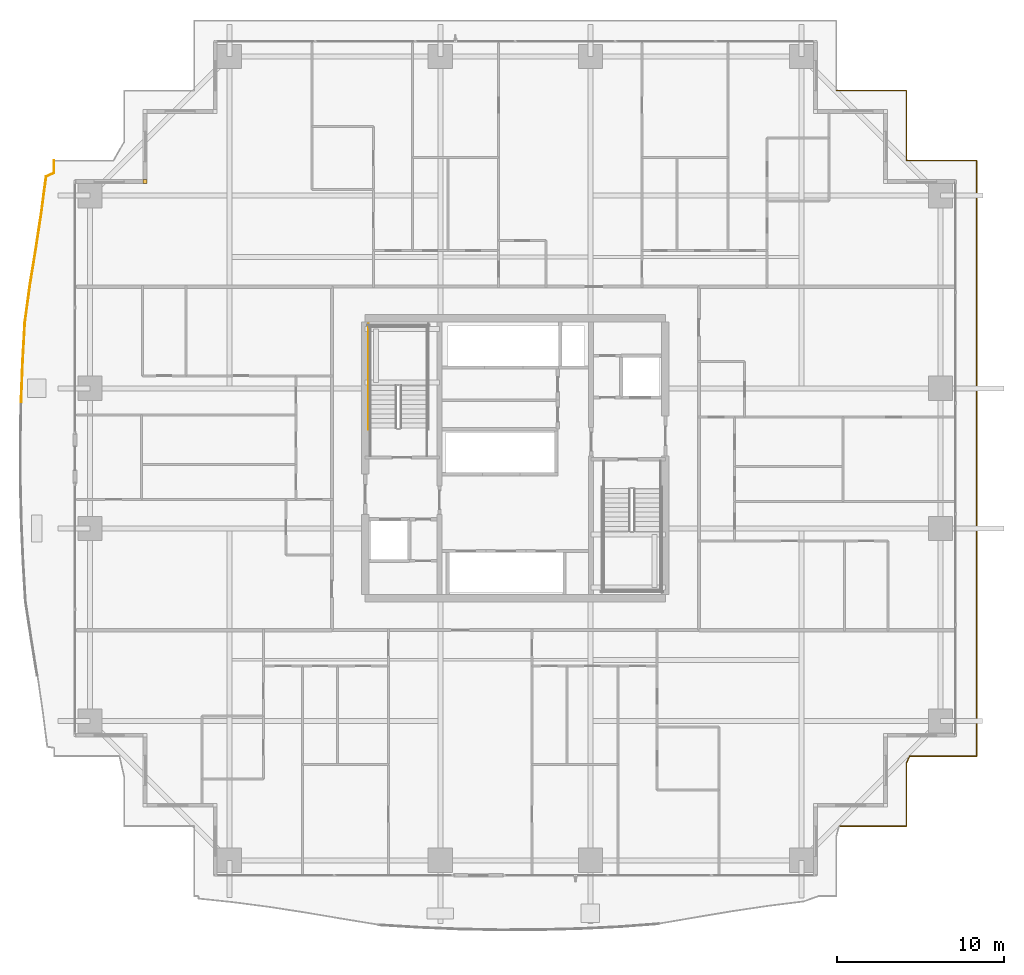
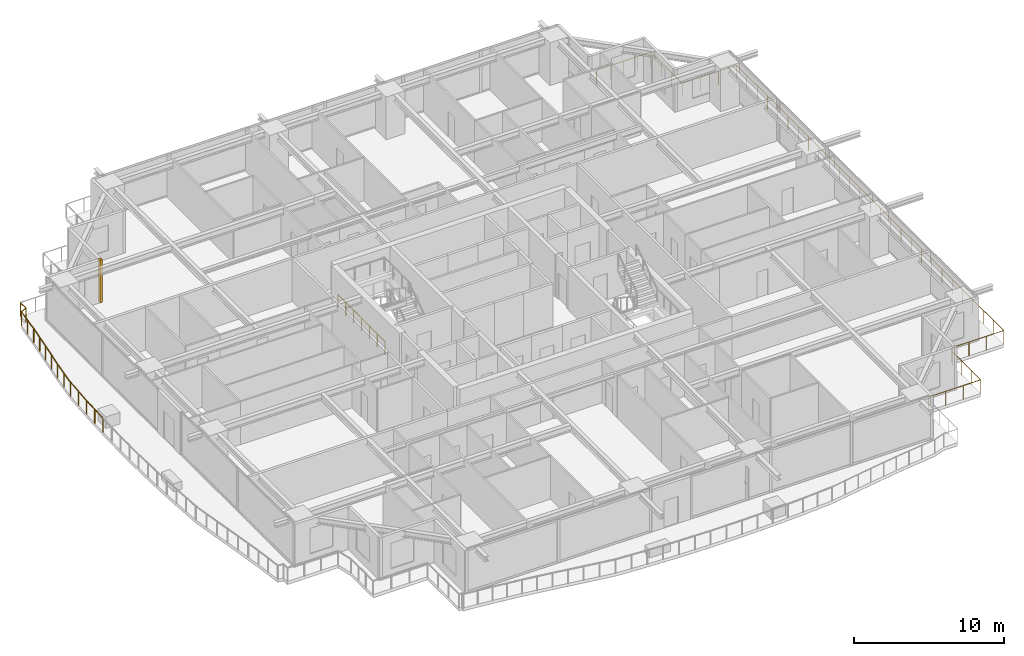
# One storey, part 39 of 41: 3 railings, 1 covering.
"""IFC4 building model written with IfcOpenShell, lengths in metres."""

from ifc_helpers import new_model, si_unit, direction, frame, origin, origin_2d, place, context, subcontext, project, spatial, rectangle, circle, extrude, source, transform, mapped, material, layer, layer_set, type_object, element, save


model = new_model("IFC4")

# Units and contexts
model_context = context("Model", 3, precision=1e-05, world=origin(), true_north=direction((0.0, 1.0)))
body_context = subcontext(model_context, "Body", "Model", "MODEL_VIEW")
ifc_project = project(units=[si_unit("LENGTHUNIT", "METRE"), si_unit("AREAUNIT", "SQUARE_METRE"), si_unit("VOLUMEUNIT", "CUBIC_METRE"), si_unit("PLANEANGLEUNIT", "RADIAN"), si_unit("MASSUNIT", "GRAM", prefix="KILO")], contexts=[model_context])

# Site, building, storey
site_placement = place(None, origin())
site = spatial("IfcSite", under=ifc_project, at=site_placement, CompositionType="ELEMENT")
building_placement = place(site_placement, origin())
building = spatial("IfcBuilding", under=site, at=building_placement, Name="Serunith Strait Residences", CompositionType="ELEMENT")
storey_placement = place(building_placement, frame((0.0, 0.0, 75.449951171875)))
storey = spatial("IfcBuildingStorey", under=building, at=storey_placement, Name="L18", CompositionType="ELEMENT", Elevation=75.449951171875)

# Railings
ifc_material_1 = material(Name="Stainless Steel & Laminated Glass Balustrade", Category="steel")
railing_type_1 = type_object("IfcRailingType", Name="RLG-BALC-1150", PredefinedType="BALUSTRADE", material=ifc_material_1)
railing_1_placement = place(storey_placement, frame((2.77001953125, 28.576416015625, -0.050048828125)))
element("IfcRailing", 1, at=railing_1_placement, inside=storey, type_object=railing_type_1, Name="L18 Swirling Balcony Perimeter Balustrade 3", PredefinedType="BALUSTRADE", context=body_context, shape_type="SweptSolid", body=[
    extrude(circle(Radius=0.02392578125, at=origin_2d()), frame((0.0, 0.001953125, 1.1259765625), z_axis=(0.038138609133, 0.999272458588, 0.0), x_axis=(-0.999272458588, 0.038138609133, 0.0)), (0.0, 0.0, 1.0), 2.3837890625),
    extrude(circle(Radius=0.02392578125, at=origin_2d()), frame((0.091064453125, 2.387939453125, 1.1259765625), z_axis=(0.055881918594, 0.998437384704, 0.0), x_axis=(-0.998437384704, 0.055881918594, 0.0)), (0.0, 0.0, 1.0), 2.359619140625),
    extrude(circle(Radius=0.02392578125, at=origin_2d()), frame((0.223388671875, 4.747802734375, 1.1259765625), z_axis=(0.133751396255, 0.991014916134, 0.0), x_axis=(-0.991014916134, 0.133751396255, 0.0)), (0.0, 0.0, 1.0), 2.292236328125),
    extrude(circle(Radius=0.02392578125, at=origin_2d()), frame((0.530517578125, 7.0234375, 1.1259765625), z_axis=(0.160992755489, 0.986955587998, 0.0), x_axis=(-0.986955587998, 0.160992755489, 0.0)), (0.0, 0.0, 1.0), 2.228271484375),
    extrude(circle(Radius=0.02392578125, at=origin_2d()), frame((0.889892578125, 9.2265625, 1.1259765625), z_axis=(0.150109759424, 0.988669338113, 0.0), x_axis=(-0.988669338113, 0.150109759424, 0.0)), (0.0, 0.0, 1.0), 2.181884765625),
    extrude(circle(Radius=0.02392578125, at=origin_2d()), frame((1.218017578125, 11.3876953125, 1.1259765625), z_axis=(0.131384021118, 0.991331548471, 0.0), x_axis=(-0.991331548471, 0.131384021118, 0.0)), (0.0, 0.0, 1.0), 2.149658203125),
    extrude(circle(Radius=0.02392578125, at=origin_2d()), frame((1.50244140625, 13.521484375, 1.1259765625), z_axis=(0.909049893533, 0.416687282104, 0.0), x_axis=(-0.416687282104, 0.909049893533, 0.0)), (0.0, 0.0, 1.0), 0.51220703125),
    extrude(circle(Radius=0.02392578125, at=origin_2d()), frame((1.969970703125, 13.73779296875, 1.1259765625), z_axis=(0.0, 1.0, 0.0), x_axis=(-1.0, 0.0, 0.0)), (0.0, 0.0, 1.0), 0.743896484375),
    extrude(circle(Radius=0.02099609375, at=origin_2d()), origin(), (0.0, 0.0, 1.0), 1.099853515625),
    extrude(circle(Radius=0.02099609375, at=origin_2d()), frame((0.04541015625, 1.19287109375, 0.0)), (0.0, 0.0, 1.0), 1.099853515625),
    extrude(circle(Radius=0.02099609375, at=origin_2d()), frame((0.091064453125, 2.385986328125, 0.0)), (0.0, 0.0, 1.0), 1.099853515625),
    extrude(circle(Radius=0.02099609375, at=origin_2d()), frame((0.1572265625, 3.56591796875, 0.0)), (0.0, 0.0, 1.0), 1.099853515625),
    extrude(circle(Radius=0.02099609375, at=origin_2d()), frame((0.22314453125, 4.745849609375, 0.0)), (0.0, 0.0, 1.0), 1.099853515625),
    extrude(circle(Radius=0.02099609375, at=origin_2d()), frame((0.376708984375, 5.8837890625, 0.0)), (0.0, 0.0, 1.0), 1.099853515625),
    extrude(circle(Radius=0.02099609375, at=origin_2d()), frame((0.5302734375, 7.021484375, 0.0)), (0.0, 0.0, 1.0), 1.099853515625),
    extrude(circle(Radius=0.02099609375, at=origin_2d()), frame((0.7099609375, 8.123046875, 0.0)), (0.0, 0.0, 1.0), 1.099853515625),
    extrude(circle(Radius=0.02099609375, at=origin_2d()), frame((0.8896484375, 9.224609375, 0.0)), (0.0, 0.0, 1.0), 1.099853515625),
    extrude(circle(Radius=0.02099609375, at=origin_2d()), frame((1.0537109375, 10.30517578125, 0.0)), (0.0, 0.0, 1.0), 1.099853515625),
    extrude(circle(Radius=0.02099609375, at=origin_2d()), frame((1.2177734375, 11.3857421875, 0.0)), (0.0, 0.0, 1.0), 1.099853515625),
    extrude(circle(Radius=0.02099609375, at=origin_2d()), frame((1.359375, 12.453125, 0.0)), (0.0, 0.0, 1.0), 1.099853515625),
    extrude(circle(Radius=0.02099609375, at=origin_2d()), frame((1.500732421875, 13.520751953125, 0.0)), (0.0, 0.0, 1.0), 1.099853515625),
    extrude(circle(Radius=0.02099609375, at=origin_2d()), frame((1.969970703125, 13.73583984375, 0.0)), (0.0, 0.0, 1.0), 1.099853515625),
    extrude(circle(Radius=0.02099609375, at=origin_2d()), frame((1.969970703125, 14.483642578125, 0.0)), (0.0, 0.0, 1.0), 1.099853515625),
])
railing_2_placement = place(storey_placement, frame((51.659912109375, 47.260009765625, -0.050048828125)))
element("IfcRailing", 2, at=railing_2_placement, inside=storey, type_object=railing_type_1, Name="L18 Swirling Balcony Perimeter Balustrade 5", PredefinedType="BALUSTRADE", context=body_context, shape_type="SweptSolid", body=[
    extrude(circle(Radius=0.02392578125, at=origin_2d()), frame((0.001953125, 0.0, 1.1259765625), z_axis=(1.0, 0.0, 0.0), x_axis=(0.0, 1.0, 0.0)), (0.0, 0.0, 1.0), 4.1962890625),
    extrude(circle(Radius=0.02392578125, at=origin_2d()), frame((4.2001953125, -0.001953125, 1.1259765625), z_axis=(0.0, -1.0, 0.0), x_axis=(1.0, 0.0, 0.0)), (0.0, 0.0, 1.0), 4.196044921875),
    extrude(circle(Radius=0.02392578125, at=origin_2d()), frame((4.2021484375, -4.199951171875, 1.1259765625), z_axis=(1.0, 0.0, 0.0), x_axis=(0.0, 1.0, 0.0)), (0.0, 0.0, 1.0), 4.196044921875),
    extrude(circle(Radius=0.02392578125, at=origin_2d()), frame((8.400146484375, -4.201904296875, 1.1259765625), z_axis=(0.0, -1.0, 0.0), x_axis=(1.0, 0.0, 0.0)), (0.0, 0.0, 1.0), 35.716064453125),
    extrude(circle(Radius=0.02392578125, at=origin_2d()), frame((8.398193359375, -39.919921875, 1.1259765625), z_axis=(-1.0, 0.0, 0.0), x_axis=(0.0, -1.0, 0.0)), (0.0, 0.0, 1.0), 4.014892578125),
    extrude(circle(Radius=0.02392578125, at=origin_2d()), frame((4.380615234375, -39.921630859375, 1.1259765625), z_axis=(-0.414518347731, -0.91004095479, 0.0), x_axis=(0.91004095479, -0.414518347731, 0.0)), (0.0, 0.0, 1.0), 0.43310546875),
    extrude(circle(Radius=0.02392578125, at=origin_2d()), frame((4.2001953125, -40.319580078125, 1.1259765625), z_axis=(0.0, -1.0, 0.0), x_axis=(1.0, 0.0, 0.0)), (0.0, 0.0, 1.0), 3.798583984375),
    extrude(circle(Radius=0.02392578125, at=origin_2d()), frame((4.1982421875, -44.1201171875, 1.1259765625), z_axis=(-1.0, 0.0, 0.0), x_axis=(0.0, -1.0, 0.0)), (0.0, 0.0, 1.0), 4.038818359375),
    extrude(circle(Radius=0.02099609375, at=origin_2d()), origin(), (0.0, 0.0, 1.0), 1.099853515625),
    extrude(circle(Radius=0.02099609375, at=origin_2d()), frame((1.050048828125, 0.0, 0.0)), (0.0, 0.0, 1.0), 1.099853515625),
    extrude(circle(Radius=0.02099609375, at=origin_2d()), frame((2.10009765625, 0.0, 0.0)), (0.0, 0.0, 1.0), 1.099853515625),
    extrude(circle(Radius=0.02099609375, at=origin_2d()), frame((3.150146484375, 0.0, 0.0)), (0.0, 0.0, 1.0), 1.099853515625),
    extrude(circle(Radius=0.02099609375, at=origin_2d()), frame((4.2001953125, 0.0, 0.0)), (0.0, 0.0, 1.0), 1.099853515625),
    extrude(circle(Radius=0.02099609375, at=origin_2d()), frame((4.2001953125, -1.39990234375, 0.0)), (0.0, 0.0, 1.0), 1.099853515625),
    extrude(circle(Radius=0.02099609375, at=origin_2d()), frame((4.2001953125, -2.800048828125, 0.0)), (0.0, 0.0, 1.0), 1.099853515625),
    extrude(circle(Radius=0.02099609375, at=origin_2d()), frame((4.2001953125, -4.199951171875, 0.0)), (0.0, 0.0, 1.0), 1.099853515625),
    extrude(circle(Radius=0.02099609375, at=origin_2d()), frame((5.60009765625, -4.199951171875, 0.0)), (0.0, 0.0, 1.0), 1.099853515625),
    extrude(circle(Radius=0.02099609375, at=origin_2d()), frame((7.000244140625, -4.199951171875, 0.0)), (0.0, 0.0, 1.0), 1.099853515625),
    extrude(circle(Radius=0.02099609375, at=origin_2d()), frame((8.400146484375, -4.199951171875, 0.0)), (0.0, 0.0, 1.0), 1.099853515625),
    extrude(circle(Radius=0.02099609375, at=origin_2d()), frame((8.400146484375, -5.57373046875, 0.0)), (0.0, 0.0, 1.0), 1.099853515625),
    extrude(circle(Radius=0.02099609375, at=origin_2d()), frame((8.400146484375, -6.94775390625, 0.0)), (0.0, 0.0, 1.0), 1.099853515625),
    extrude(circle(Radius=0.02099609375, at=origin_2d()), frame((8.400146484375, -8.321533203125, 0.0)), (0.0, 0.0, 1.0), 1.099853515625),
    extrude(circle(Radius=0.02099609375, at=origin_2d()), frame((8.400146484375, -9.6953125, 0.0)), (0.0, 0.0, 1.0), 1.099853515625),
    extrude(circle(Radius=0.02099609375, at=origin_2d()), frame((8.400146484375, -11.069091796875, 0.0)), (0.0, 0.0, 1.0), 1.099853515625),
    extrude(circle(Radius=0.02099609375, at=origin_2d()), frame((8.400146484375, -12.443115234375, 0.0)), (0.0, 0.0, 1.0), 1.099853515625),
    extrude(circle(Radius=0.02099609375, at=origin_2d()), frame((8.400146484375, -13.81689453125, 0.0)), (0.0, 0.0, 1.0), 1.099853515625),
    extrude(circle(Radius=0.02099609375, at=origin_2d()), frame((8.400146484375, -15.190673828125, 0.0)), (0.0, 0.0, 1.0), 1.099853515625),
    extrude(circle(Radius=0.02099609375, at=origin_2d()), frame((8.400146484375, -16.564453125, 0.0)), (0.0, 0.0, 1.0), 1.099853515625),
    extrude(circle(Radius=0.02099609375, at=origin_2d()), frame((8.400146484375, -17.9384765625, 0.0)), (0.0, 0.0, 1.0), 1.099853515625),
    extrude(circle(Radius=0.02099609375, at=origin_2d()), frame((8.400146484375, -19.312255859375, 0.0)), (0.0, 0.0, 1.0), 1.099853515625),
    extrude(circle(Radius=0.02099609375, at=origin_2d()), frame((8.400146484375, -20.68603515625, 0.0)), (0.0, 0.0, 1.0), 1.099853515625),
    extrude(circle(Radius=0.02099609375, at=origin_2d()), frame((8.400146484375, -22.06005859375, 0.0)), (0.0, 0.0, 1.0), 1.099853515625),
    extrude(circle(Radius=0.02099609375, at=origin_2d()), frame((8.400146484375, -23.433837890625, 0.0)), (0.0, 0.0, 1.0), 1.099853515625),
    extrude(circle(Radius=0.02099609375, at=origin_2d()), frame((8.400146484375, -24.8076171875, 0.0)), (0.0, 0.0, 1.0), 1.099853515625),
    extrude(circle(Radius=0.02099609375, at=origin_2d()), frame((8.400146484375, -26.181396484375, 0.0)), (0.0, 0.0, 1.0), 1.099853515625),
    extrude(circle(Radius=0.02099609375, at=origin_2d()), frame((8.400146484375, -27.555419921875, 0.0)), (0.0, 0.0, 1.0), 1.099853515625),
    extrude(circle(Radius=0.02099609375, at=origin_2d()), frame((8.400146484375, -28.92919921875, 0.0)), (0.0, 0.0, 1.0), 1.099853515625),
    extrude(circle(Radius=0.02099609375, at=origin_2d()), frame((8.400146484375, -30.302978515625, 0.0)), (0.0, 0.0, 1.0), 1.099853515625),
    extrude(circle(Radius=0.02099609375, at=origin_2d()), frame((8.400146484375, -31.6767578125, 0.0)), (0.0, 0.0, 1.0), 1.099853515625),
    extrude(circle(Radius=0.02099609375, at=origin_2d()), frame((8.400146484375, -33.05078125, 0.0)), (0.0, 0.0, 1.0), 1.099853515625),
    extrude(circle(Radius=0.02099609375, at=origin_2d()), frame((8.400146484375, -34.424560546875, 0.0)), (0.0, 0.0, 1.0), 1.099853515625),
    extrude(circle(Radius=0.02099609375, at=origin_2d()), frame((8.400146484375, -35.79833984375, 0.0)), (0.0, 0.0, 1.0), 1.099853515625),
    extrude(circle(Radius=0.02099609375, at=origin_2d()), frame((8.400146484375, -37.172119140625, 0.0)), (0.0, 0.0, 1.0), 1.099853515625),
    extrude(circle(Radius=0.02099609375, at=origin_2d()), frame((8.400146484375, -38.546142578125, 0.0)), (0.0, 0.0, 1.0), 1.099853515625),
    extrude(circle(Radius=0.02099609375, at=origin_2d()), frame((8.400146484375, -39.919921875, 0.0)), (0.0, 0.0, 1.0), 1.099853515625),
    extrude(circle(Radius=0.02099609375, at=origin_2d()), frame((7.060546875, -39.919921875, 0.0)), (0.0, 0.0, 1.0), 1.099853515625),
    extrude(circle(Radius=0.02099609375, at=origin_2d()), frame((5.720947265625, -39.919921875, 0.0)), (0.0, 0.0, 1.0), 1.099853515625),
    extrude(circle(Radius=0.02099609375, at=origin_2d()), frame((4.38134765625, -39.919921875, 0.0)), (0.0, 0.0, 1.0), 1.099853515625),
    extrude(circle(Radius=0.02099609375, at=origin_2d()), frame((4.2001953125, -40.317626953125, 0.0)), (0.0, 0.0, 1.0), 1.099853515625),
    extrude(circle(Radius=0.02099609375, at=origin_2d()), frame((4.2001953125, -41.585205078125, 0.0)), (0.0, 0.0, 1.0), 1.099853515625),
    extrude(circle(Radius=0.02099609375, at=origin_2d()), frame((4.2001953125, -42.8525390625, 0.0)), (0.0, 0.0, 1.0), 1.099853515625),
    extrude(circle(Radius=0.02099609375, at=origin_2d()), frame((4.2001953125, -44.1201171875, 0.0)), (0.0, 0.0, 1.0), 1.099853515625),
    extrude(circle(Radius=0.02099609375, at=origin_2d()), frame((2.8525390625, -44.1201171875, 0.0)), (0.0, 0.0, 1.0), 1.099853515625),
    extrude(circle(Radius=0.02099609375, at=origin_2d()), frame((1.505126953125, -44.1201171875, 0.0)), (0.0, 0.0, 1.0), 1.099853515625),
    extrude(circle(Radius=0.02099609375, at=origin_2d()), frame((0.157470703125, -44.1201171875, 0.0)), (0.0, 0.0, 1.0), 1.099853515625),
])
ifc_material_2 = material(Name="Brushed stainless steel 316L", Category="steel")
railing_type_2 = type_object("IfcRailingType", Name="RLG-STAIR-GUARD", PredefinedType="BALUSTRADE", material=ifc_material_2)
railing_3_placement = place(storey_placement, frame((23.60009765625, 26.929931640625, 0.0)))
element("IfcRailing", 3, at=railing_3_placement, inside=storey, type_object=railing_type_2, Name="L18 ST-1 stair guard 11", PredefinedType="BALUSTRADE", context=body_context, shape_type="SweptSolid", body=[
    extrude(circle(Radius=0.02392578125, at=origin_2d()), frame((0.0, 0.001953125, 1.076171875), z_axis=(0.0, 1.0, 0.0), x_axis=(-1.0, 0.0, 0.0)), (0.0, 0.0, 1.0), 6.316162109375),
    extrude(circle(Radius=0.02099609375, at=origin_2d()), origin(), (0.0, 0.0, 1.0), 1.050048828125),
    extrude(circle(Radius=0.02099609375, at=origin_2d()), frame((0.0, 1.05322265625, 0.0)), (0.0, 0.0, 1.0), 1.050048828125),
    extrude(circle(Radius=0.02099609375, at=origin_2d()), frame((0.0, 2.106689453125, 0.0)), (0.0, 0.0, 1.0), 1.050048828125),
    extrude(circle(Radius=0.02099609375, at=origin_2d()), frame((0.0, 3.16015625, 0.0)), (0.0, 0.0, 1.0), 1.050048828125),
    extrude(circle(Radius=0.02099609375, at=origin_2d()), frame((0.0, 4.21337890625, 0.0)), (0.0, 0.0, 1.0), 1.050048828125),
    extrude(circle(Radius=0.02099609375, at=origin_2d()), frame((0.0, 5.2666015625, 0.0)), (0.0, 0.0, 1.0), 1.050048828125),
    extrude(circle(Radius=0.02099609375, at=origin_2d()), frame((0.0, 6.320068359375, 0.0)), (0.0, 0.0, 1.0), 1.050048828125),
])

# Covering
ifc_material_3 = material(Name="Pale-Champagne Anodised Aluminium", Category="aluminium")
ifc_layer = layer(ifc_material_3, 0.219970703125, Name="Pale-Champagne Anodised Aluminium")
ifc_layer_set = layer_set([ifc_layer], Name="Pale-Champagne Anodised Aluminium")
covering_type = type_object("IfcCoveringType", Name="COV-CORN-TRIM", PredefinedType="CLADDING", material=ifc_layer_set)
shared_shape = source(origin(), body_context, "Body", "SweptSolid", [
    extrude(rectangle(XDim=0.221923828125, YDim=0.221923828125, at=origin_2d()), origin(), (0.0, 0.0, 1.0), 3.47509765625),
])
covering_placement = place(storey_placement, frame((10.199951171875, 41.800048828125, 0.0), z_axis=(0.0, 0.0, 1.0), x_axis=(1.0, 0.0, 0.0)))
element("IfcCovering", 4, at=covering_placement, inside=storey, type_object=covering_type, Name="L18 Girih Serrated Corner Trim Post 14", PredefinedType="CLADDING", context=body_context, shape_type="MappedRepresentation", body=[
    mapped(shared_shape, transform((0.0, 0.0, 0.0), scale=1.0)),
])

save(model, "model.ifc")
